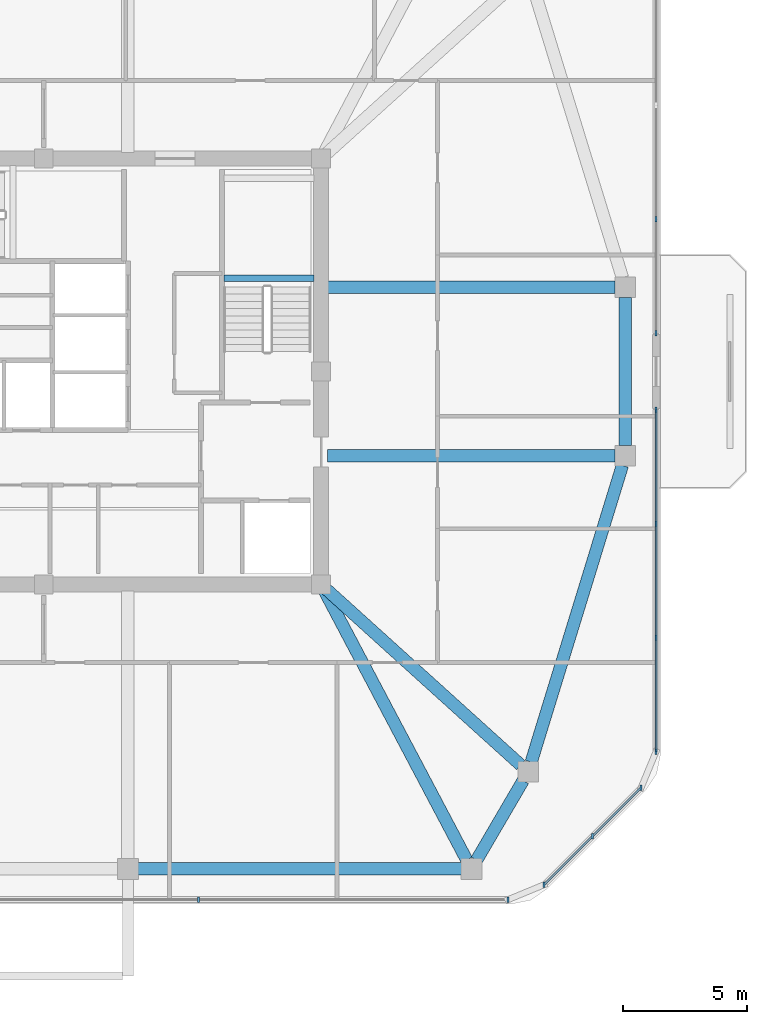
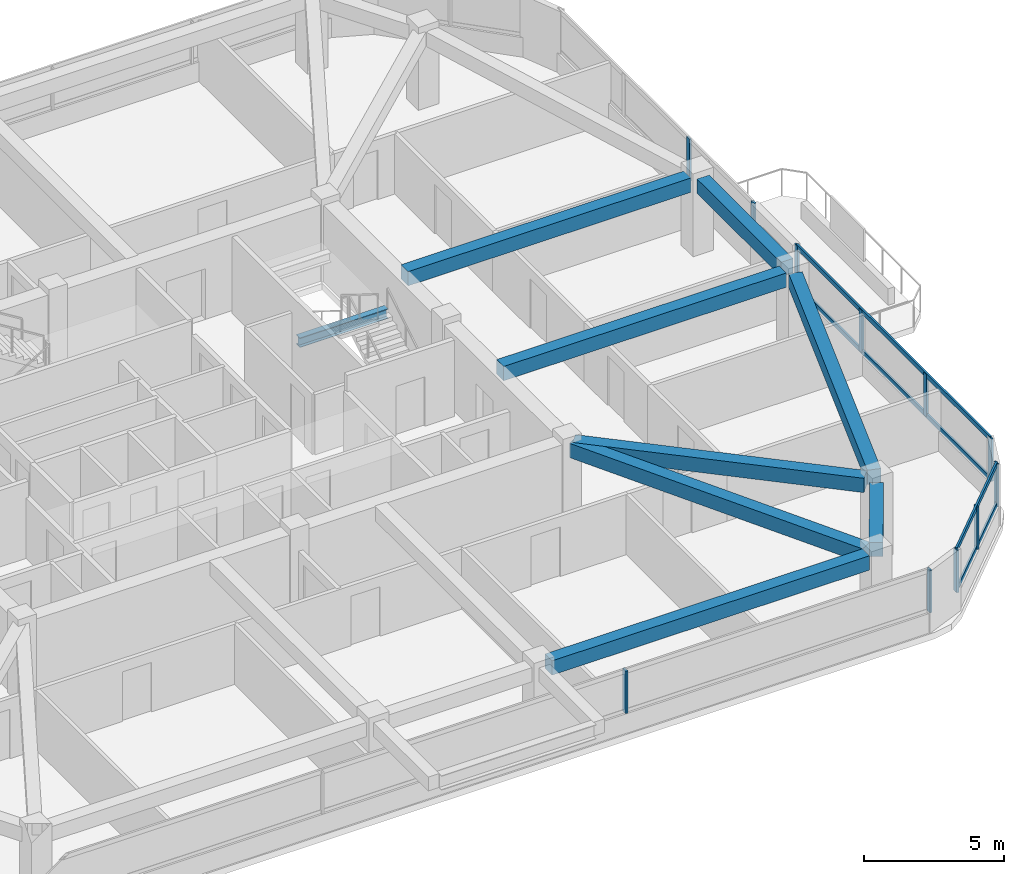
# One storey, part 5 of 14: 15 members, 9 beams, 4 elements without a shape of their own.
"""IFC4 building model written with IfcOpenShell, lengths in metres."""

from ifc_helpers import new_model, si_unit, derived_unit, direction, frame, origin, origin_2d, place, context, subcontext, project, spatial, rectangle, i_section, extrude, material, material_profile, profile_set, type_object, element, aggregate, save


model = new_model("IFC4")

# Units and contexts
model_context = context("Model", 3, precision=1e-05, world=origin(), true_north=direction((0.0, 1.0)))
body_context = subcontext(model_context, "Body", "Model", "MODEL_VIEW")
ifc_project = project(units=[si_unit("LENGTHUNIT", "METRE"), si_unit("AREAUNIT", "SQUARE_METRE"), si_unit("VOLUMEUNIT", "CUBIC_METRE"), si_unit("PLANEANGLEUNIT", "RADIAN"), si_unit("MASSUNIT", "GRAM", prefix="KILO"), derived_unit("THERMALTRANSMITTANCEUNIT", [(si_unit("POWERUNIT", "WATT"), 1), (si_unit("LENGTHUNIT", "METRE"), -2), (si_unit("THERMODYNAMICTEMPERATUREUNIT", "KELVIN"), -1)])], contexts=[model_context])

# Site, building, storey
site_placement = place(None, origin())
site = spatial("IfcSite", under=ifc_project, at=site_placement, CompositionType="ELEMENT")
building_placement = place(site_placement, origin())
building = spatial("IfcBuilding", under=site, at=building_placement, Name="Koralith Skygarden Medical Center", CompositionType="ELEMENT")
storey_placement = place(building_placement, frame((0.0, 0.0, 275.219970703125)))
storey = spatial("IfcBuildingStorey", under=building, at=storey_placement, Name="L71", CompositionType="ELEMENT", Elevation=275.219970703125)

# Curtain wall, members
ifc_material_1 = material(Name="Clear Laminated Glass", Category="glass")
curtain_wall_type = type_object("IfcCurtainWallType", Name="CW-6 Zone 5 Upper Clinical Curtain Wall", PredefinedType="NOTDEFINED", material=ifc_material_1)
curtain_wall_1_placement = place(storey_placement, origin())
curtain_wall_1 = element("IfcCurtainWall", 1, at=curtain_wall_1_placement, inside=storey, type_object=curtain_wall_type, Name="Curtain Wall CW-L71-S", PredefinedType="NOTDEFINED")
ifc_material_2 = material(Name="Aluminium 6063-T6", Category="aluminium")
ifc_material_profile_1 = material_profile(ifc_material_2, rectangle(XDim=0.0830078125, YDim=0.219970703125, at=origin_2d()), Name="MUL83X220")
ifc_profile_set_1 = profile_set([ifc_material_profile_1], Name="Aluminium 6063-T6")
member_type_1 = type_object("IfcMemberType", Name="CW-6 Extruded Mullion 83x220", PredefinedType="MULLION", material=ifc_profile_set_1)
member_1_placement = place(storey_placement, frame((43.248046875, 4.580078125, 0.85009765625), z_axis=(0.0, 0.0, 1.0), x_axis=(1.0, 0.0, 0.0)))
member_1 = element("IfcMember", 2, at=member_1_placement, type_object=member_type_1, Name="CW-L71-S Mullion 3", PredefinedType="MULLION", context=body_context, shape_type="SweptSolid", body=[
    extrude(rectangle(XDim=0.0830078125, YDim=0.219970703125, at=origin_2d()), origin(), (0.0, 0.0, 1.0), 1.83984375),
])
member_2_placement = place(storey_placement, frame((55.7451171875, 4.580078125, 0.85009765625), z_axis=(0.0, 0.0, 1.0), x_axis=(1.0, 0.0, 0.0)))
member_2 = element("IfcMember", 3, at=member_2_placement, type_object=member_type_1, Name="CW-L71-S Mullion 4", PredefinedType="MULLION", context=body_context, shape_type="SweptSolid", body=[
    extrude(rectangle(XDim=0.0830078125, YDim=0.219970703125, at=origin_2d()), origin(), (0.0, 0.0, 1.0), 1.83984375),
])
aggregate(curtain_wall_1, [member_1, member_2])

curtain_wall_2_placement = place(storey_placement, origin())
curtain_wall_2 = element("IfcCurtainWall", 4, at=curtain_wall_2_placement, inside=storey, type_object=curtain_wall_type, Name="Curtain Wall CW-L71-SE", PredefinedType="NOTDEFINED")
member_3_placement = place(storey_placement, frame((57.196044921875, 5.180908203125, 0.85009765625), z_axis=(0.0, 0.0, 1.0), x_axis=(1.0, 0.0, 0.0)))
member_3 = element("IfcMember", 5, at=member_3_placement, type_object=member_type_1, Name="CW-L71-SE Mullion 1", PredefinedType="MULLION", context=body_context, shape_type="SweptSolid", body=[
    extrude(rectangle(XDim=0.0830078125, YDim=0.219970703125, at=origin_2d()), origin(), (0.0, 0.0, 1.0), 1.83984375),
])
member_4_placement = place(storey_placement, frame((59.156982421875, 7.14306640625, 0.85009765625), z_axis=(0.0, 0.0, 1.0), x_axis=(1.0, 0.0, 0.0)))
member_4 = element("IfcMember", 6, at=member_4_placement, type_object=member_type_1, Name="CW-L71-SE Mullion 2", PredefinedType="MULLION", context=body_context, shape_type="SweptSolid", body=[
    extrude(rectangle(XDim=0.0830078125, YDim=0.219970703125, at=origin_2d()), origin(), (0.0, 0.0, 1.0), 1.83984375),
])
member_5_placement = place(storey_placement, frame((61.118896484375, 9.10400390625, 0.85009765625), z_axis=(0.0, 0.0, 1.0), x_axis=(1.0, 0.0, 0.0)))
member_5 = element("IfcMember", 7, at=member_5_placement, type_object=member_type_1, Name="CW-L71-SE Mullion 3", PredefinedType="MULLION", context=body_context, shape_type="SweptSolid", body=[
    extrude(rectangle(XDim=0.0830078125, YDim=0.219970703125, at=origin_2d()), origin(), (0.0, 0.0, 1.0), 1.83984375),
])

curtain_wall_3_placement = place(storey_placement, origin())
curtain_wall_3 = element("IfcCurtainWall", 8, at=curtain_wall_3_placement, inside=storey, type_object=curtain_wall_type, Name="Curtain Wall CW-L71-E-L", PredefinedType="NOTDEFINED")
member_6_placement = place(storey_placement, frame((61.719970703125, 10.554931640625, 0.85009765625), z_axis=(0.0, 0.0, 1.0), x_axis=(1.0, 0.0, 0.0)))
member_6 = element("IfcMember", 9, at=member_6_placement, type_object=member_type_1, Name="CW-L71-E-L Mullion 1", PredefinedType="MULLION", context=body_context, shape_type="SweptSolid", body=[
    extrude(rectangle(XDim=0.0830078125, YDim=0.219970703125, at=origin_2d()), origin(), (0.0, 0.0, 1.0), 1.83984375),
])
member_7_placement = place(storey_placement, frame((61.719970703125, 15.156982421875, 0.85009765625), z_axis=(0.0, 0.0, 1.0), x_axis=(1.0, 0.0, 0.0)))
member_7 = element("IfcMember", 10, at=member_7_placement, type_object=member_type_1, Name="CW-L71-E-L Mullion 2", PredefinedType="MULLION", context=body_context, shape_type="SweptSolid", body=[
    extrude(rectangle(XDim=0.0830078125, YDim=0.219970703125, at=origin_2d()), origin(), (0.0, 0.0, 1.0), 1.83984375),
])
member_8_placement = place(storey_placement, frame((61.719970703125, 19.758056640625, 0.85009765625), z_axis=(0.0, 0.0, 1.0), x_axis=(1.0, 0.0, 0.0)))
member_8 = element("IfcMember", 11, at=member_8_placement, type_object=member_type_1, Name="CW-L71-E-L Mullion 3", PredefinedType="MULLION", context=body_context, shape_type="SweptSolid", body=[
    extrude(rectangle(XDim=0.0830078125, YDim=0.219970703125, at=origin_2d()), origin(), (0.0, 0.0, 1.0), 1.83984375),
])
member_9_placement = place(storey_placement, frame((61.719970703125, 24.360107421875, 0.85009765625), z_axis=(0.0, 0.0, 1.0), x_axis=(1.0, 0.0, 0.0)))
member_9 = element("IfcMember", 12, at=member_9_placement, type_object=member_type_1, Name="CW-L71-E-L Mullion 4", PredefinedType="MULLION", context=body_context, shape_type="SweptSolid", body=[
    extrude(rectangle(XDim=0.0830078125, YDim=0.219970703125, at=origin_2d()), origin(), (0.0, 0.0, 1.0), 1.83984375),
])

curtain_wall_4_placement = place(storey_placement, origin())
curtain_wall_4 = element("IfcCurtainWall", 13, at=curtain_wall_4_placement, inside=storey, type_object=curtain_wall_type, Name="Curtain Wall CW-L71-E-R", PredefinedType="NOTDEFINED")
member_10_placement = place(storey_placement, frame((61.719970703125, 27.43994140625, 0.85009765625), z_axis=(0.0, 0.0, 1.0), x_axis=(1.0, 0.0, 0.0)))
member_10 = element("IfcMember", 14, at=member_10_placement, type_object=member_type_1, Name="CW-L71-E-R Mullion 1", PredefinedType="MULLION", context=body_context, shape_type="SweptSolid", body=[
    extrude(rectangle(XDim=0.0830078125, YDim=0.219970703125, at=origin_2d()), origin(), (0.0, 0.0, 1.0), 1.83984375),
])
member_11_placement = place(storey_placement, frame((61.719970703125, 32.0419921875, 0.85009765625), z_axis=(0.0, 0.0, 1.0), x_axis=(1.0, 0.0, 0.0)))
member_11 = element("IfcMember", 15, at=member_11_placement, type_object=member_type_1, Name="CW-L71-E-R Mullion 2", PredefinedType="MULLION", context=body_context, shape_type="SweptSolid", body=[
    extrude(rectangle(XDim=0.0830078125, YDim=0.219970703125, at=origin_2d()), origin(), (0.0, 0.0, 1.0), 1.83984375),
])
aggregate(curtain_wall_4, [member_10, member_11])

# Member
ifc_material_profile_2 = material_profile(ifc_material_2, rectangle(XDim=0.077880859375, YDim=0.197998046875, at=origin_2d()), Name="TRN78X198")
ifc_profile_set_2 = profile_set([ifc_material_profile_2], Name="Aluminium 6063-T6")
member_type_2 = type_object("IfcMemberType", Name="CW-6 Thermal Transom 78x198", PredefinedType="USERDEFINED", material=ifc_profile_set_2)
member_12_placement = place(storey_placement, frame((57.196044921875, 5.180908203125, 0.900146484375), z_axis=(0.707084777957, 0.707128783731, 0.0), x_axis=(-0.707128783731, 0.707084777957, 0.0)))
member_12 = element("IfcMember", 16, at=member_12_placement, type_object=member_type_2, Name="CW-L71-SE Transom 1", ObjectType="TRANSOM", PredefinedType="USERDEFINED", context=body_context, shape_type="SweptSolid", body=[
    extrude(rectangle(XDim=0.077880859375, YDim=0.197998046875, at=origin_2d()), origin(), (0.0, 0.0, 1.0), 5.5478515625),
])

member_13_placement = place(storey_placement, frame((57.196044921875, 5.180908203125, 2.64013671875), z_axis=(0.707084777957, 0.707128783731, 0.0), x_axis=(-0.707128783731, 0.707084777957, 0.0)))
member_13 = element("IfcMember", 17, at=member_13_placement, type_object=member_type_2, Name="CW-L71-SE Transom 2", ObjectType="TRANSOM", PredefinedType="USERDEFINED", context=body_context, shape_type="SweptSolid", body=[
    extrude(rectangle(XDim=0.077880859375, YDim=0.197998046875, at=origin_2d()), origin(), (0.0, 0.0, 1.0), 5.5478515625),
])

aggregate(curtain_wall_2, [member_3, member_4, member_5, member_12, member_13])

member_14_placement = place(storey_placement, frame((61.719970703125, 10.554931640625, 0.900146484375), z_axis=(0.0, 1.0, 0.0), x_axis=(-1.0, 0.0, 0.0)))
member_14 = element("IfcMember", 18, at=member_14_placement, type_object=member_type_2, Name="CW-L71-E-L Transom 1", ObjectType="TRANSOM", PredefinedType="USERDEFINED", context=body_context, shape_type="SweptSolid", body=[
    extrude(rectangle(XDim=0.077880859375, YDim=0.197998046875, at=origin_2d()), origin(), (0.0, 0.0, 1.0), 13.80517578125),
])

member_15_placement = place(storey_placement, frame((61.719970703125, 10.554931640625, 2.64013671875), z_axis=(0.0, 1.0, 0.0), x_axis=(-1.0, 0.0, 0.0)))
member_15 = element("IfcMember", 19, at=member_15_placement, type_object=member_type_2, Name="CW-L71-E-L Transom 2", ObjectType="TRANSOM", PredefinedType="USERDEFINED", context=body_context, shape_type="SweptSolid", body=[
    extrude(rectangle(XDim=0.077880859375, YDim=0.197998046875, at=origin_2d()), origin(), (0.0, 0.0, 1.0), 13.80517578125),
])

aggregate(curtain_wall_3, [member_6, member_7, member_8, member_9, member_14, member_15])

# Beams
ifc_material_3 = material(Name="Steel ASTM A992 Grade 50", Category="steel")
ifc_material_profile_3 = material_profile(ifc_material_3, i_section(OverallWidth=0.260009765625, OverallDepth=0.4150390625, WebThickness=0.010009765625, FlangeThickness=0.016845703125, at=origin_2d()), Name="W16X67")
ifc_profile_set_3 = profile_set([ifc_material_profile_3], Name="Steel ASTM A992 Grade 50")
beam_type_1 = type_object("IfcBeamType", Name="Clinical Floor Joist W16X67", PredefinedType="JOIST", material=ifc_profile_set_3)
beam_1_placement = place(storey_placement, frame((44.280029296875, 29.659912109375, 1.39306640625), z_axis=(1.0, 0.0, 0.0), x_axis=(0.0, 1.0, 0.0)))
element("IfcBeam", 20, at=beam_1_placement, inside=storey, type_object=beam_type_1, Name="L71 Stair ST2 Half-Landing Support Beam 1A", PredefinedType="JOIST", context=body_context, shape_type="SweptSolid", body=[
    extrude(i_section(OverallWidth=0.260009765625, OverallDepth=0.4150390625, WebThickness=0.010009765625, FlangeThickness=0.016845703125, at=origin_2d()), origin(), (0.0, 0.0, 1.0), 3.639892578125),
])
ifc_material_4 = material(Name="Concrete C45/55", Category="concrete")
ifc_material_profile_4 = material_profile(ifc_material_4, rectangle(XDim=0.5, YDim=0.6201171875, at=origin_2d()), Name="RCB500X620")
ifc_profile_set_4 = profile_set([ifc_material_profile_4], Name="Concrete C45/55")
beam_type_2 = type_object("IfcBeamType", Name="Upper Radial Collector Beam RCB500X620", PredefinedType="BEAM", material=ifc_profile_set_4)
beam_2_placement = place(storey_placement, frame((48.31689453125, 17.0791015625, 3.010009765625), z_axis=(0.46724871287, -0.884125918816, 0.0), x_axis=(0.884125918816, 0.46724871287, 0.0)))
element("IfcBeam", 21, at=beam_2_placement, inside=storey, type_object=beam_type_2, Name="L71 Radial Collector Beam RB-06", PredefinedType="BEAM", context=body_context, shape_type="SweptSolid", body=[
    extrude(rectangle(XDim=0.5, YDim=0.6201171875, at=origin_2d()), origin(), (0.0, 0.0, 1.0), 12.325439453125),
])
beam_3_placement = place(storey_placement, frame((48.385009765625, 17.132080078125, 3.010009765625), z_axis=(0.741736323186, -0.670691603397, 0.0), x_axis=(0.670691603397, 0.741736323186, 0.0)))
element("IfcBeam", 22, at=beam_3_placement, inside=storey, type_object=beam_type_2, Name="L71 Radial Collector Beam RB-07", PredefinedType="BEAM", context=body_context, shape_type="SweptSolid", body=[
    extrude(rectangle(XDim=0.5, YDim=0.6201171875, at=origin_2d()), origin(), (0.0, 0.0, 1.0), 10.61181640625),
])
for number, where, z_axis, x_axis, name in (
    (23, (48.449951171875, 22.5, 3.010009765625), (1.0, 0.0, 0.0), (0.0, 1.0, 0.0), "L71 Radial Collector Beam RB-08"),
    (24, (48.449951171875, 29.300048828125, 3.010009765625), (1.0, 0.0, 0.0), (0.0, 1.0, 0.0), "L71 Radial Collector Beam RB-09"),
):
    element("IfcBeam", number, at=place(storey_placement, frame(where, z_axis=z_axis, x_axis=x_axis)), inside=storey, type_object=beam_type_2, Name=name, PredefinedType="BEAM", context=body_context, shape_type="SweptSolid", body=[
        extrude(rectangle(XDim=0.5, YDim=0.6201171875, at=origin_2d()), origin(), (0.0, 0.0, 1.0), 11.6201171875),
    ])
ifc_material_profile_5 = material_profile(ifc_material_4, rectangle(XDim=0.5, YDim=0.6201171875, at=origin_2d()), Name="RCB500X620")
ifc_profile_set_5 = profile_set([ifc_material_profile_5], Name="Concrete C45/55")
beam_type_3 = type_object("IfcBeamType", Name="Zone 4-5 Spandrel Beam RCB500X620", PredefinedType="SPANDREL", material=ifc_profile_set_5)
beam_4_placement = place(storey_placement, frame((40.81005859375, 5.820068359375, 3.010009765625), z_axis=(1.0, 0.0, 0.0), x_axis=(0.0, 1.0, 0.0)))
element("IfcBeam", 25, at=beam_4_placement, inside=storey, type_object=beam_type_3, Name="L71 Perimeter Spandrel Beam SP-05", PredefinedType="SPANDREL", context=body_context, shape_type="SweptSolid", body=[
    extrude(rectangle(XDim=0.5, YDim=0.6201171875, at=origin_2d()), origin(), (0.0, 0.0, 1.0), 13.0478515625),
])
beam_5_placement = place(storey_placement, frame((54.47509765625, 6.174072265625, 3.010009765625), z_axis=(0.50473571007, 0.863273921175, 0.0), x_axis=(-0.863273921175, 0.50473571007, 0.0)))
element("IfcBeam", 26, at=beam_5_placement, inside=storey, type_object=beam_type_3, Name="L71 Perimeter Spandrel Beam SP-06", PredefinedType="SPANDREL", context=body_context, shape_type="SweptSolid", body=[
    extrude(rectangle(XDim=0.5, YDim=0.6201171875, at=origin_2d()), origin(), (0.0, 0.0, 1.0), 3.720703125),
])
beam_6_placement = place(storey_placement, frame((56.679931640625, 10.132080078125, 3.010009765625), z_axis=(0.293743494914, 0.955884281279, 0.0), x_axis=(-0.955884281279, 0.293743494914, 0.0)))
element("IfcBeam", 27, at=beam_6_placement, inside=storey, type_object=beam_type_3, Name="L71 Perimeter Spandrel Beam SP-07", PredefinedType="SPANDREL", context=body_context, shape_type="SweptSolid", body=[
    extrude(rectangle(XDim=0.5, YDim=0.6201171875, at=origin_2d()), origin(), (0.0, 0.0, 1.0), 12.528564453125),
])
beam_7_placement = place(storey_placement, frame((60.47998046875, 22.909912109375, 3.010009765625), z_axis=(0.0, 1.0, 0.0), x_axis=(-1.0, 0.0, 0.0)))
element("IfcBeam", 28, at=beam_7_placement, inside=storey, type_object=beam_type_3, Name="L71 Perimeter Spandrel Beam SP-08", PredefinedType="SPANDREL", context=body_context, shape_type="SweptSolid", body=[
    extrude(rectangle(XDim=0.5, YDim=0.6201171875, at=origin_2d()), origin(), (0.0, 0.0, 1.0), 5.97998046875),
])

save(model, "model.ifc")
